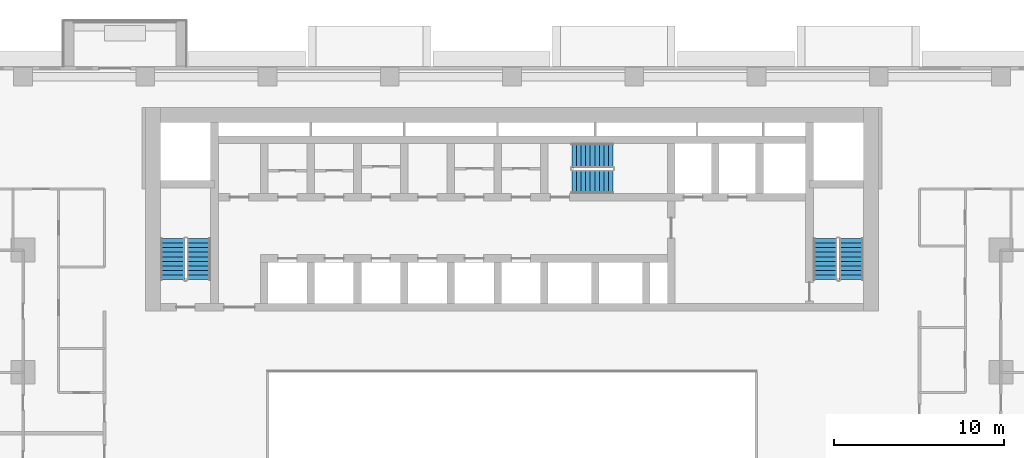
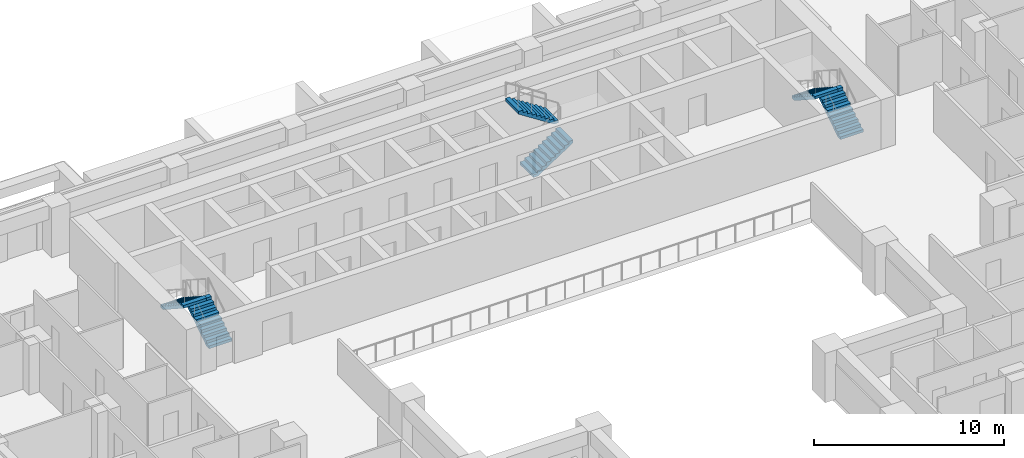
# One storey, part 13 of 17: 6 stair flights, 3 elements without a shape of their own.
"""IFC4 building model written with IfcOpenShell, lengths in metres."""

from ifc_helpers import new_model, si_unit, direction, frame, origin, place, context, subcontext, project, spatial, polyline, outline, extrude, material, layer, layer_set, type_object, element, aggregate, save


model = new_model("IFC4")

# Units and contexts
model_context = context("Model", 3, precision=1e-05, world=origin(), true_north=direction((0.0, 1.0)))
body_context = subcontext(model_context, "Body", "Model", "MODEL_VIEW")
ifc_project = project(units=[si_unit("LENGTHUNIT", "METRE"), si_unit("AREAUNIT", "SQUARE_METRE"), si_unit("VOLUMEUNIT", "CUBIC_METRE"), si_unit("PLANEANGLEUNIT", "RADIAN"), si_unit("MASSUNIT", "GRAM", prefix="KILO")], contexts=[model_context])

# Site, building, storey
site_placement = place(None, origin())
site = spatial("IfcSite", under=ifc_project, at=site_placement, CompositionType="ELEMENT")
building_placement = place(site_placement, origin())
building = spatial("IfcBuilding", under=site, at=building_placement, Name="Saffron Iwan Residences", CompositionType="ELEMENT")
storey_placement = place(building_placement, frame((0.0, 0.0, 51.5)))
storey = spatial("IfcBuildingStorey", under=building, at=storey_placement, Name="L12", CompositionType="ELEMENT", Elevation=51.5)

# Stair, stair flights
ifc_material = material(Name="Concrete C50/60", Category="concrete")
stair_type = type_object("IfcStairType", Name="Stair ST-CORE", PredefinedType="HALF_TURN_STAIR", material=ifc_material)
stair_1_placement = place(storey_placement, origin())
stair_1 = element("IfcStair", 1, at=stair_1_placement, inside=storey, type_object=stair_type, Name="L12 Exit Stair ST-W", PredefinedType="HALF_TURN_STAIR")
ifc_layer = layer(ifc_material, 0.14990234375)
ifc_layer_set = layer_set([ifc_layer], Name="Concrete C50/60")
stair_flight_type = type_object("IfcStairFlightType", Name="Stair flight SFL-RC", PredefinedType="STRAIGHT", material=ifc_layer_set)
stair_flight_1_placement = place(storey_placement, frame((31.949951171875, 67.85009765625, 0.0), z_axis=(0.0, 0.0, 1.0), x_axis=(0.0, 1.0, 0.0)))
stair_flight_1 = element("IfcStairFlight", 2, at=stair_flight_1_placement, type_object=stair_flight_type, Name="ST-W flight 1", NumberOfRisers=10, NumberOfTreads=9, PredefinedType="STRAIGHT", RiserHeight=0.175, TreadLength=0.27, context=body_context, shape_type="SweptSolid", body=[
    extrude(outline(polyline([(0.0, 0.0), (0.0, 0.175048828125), (0.27001953125, 0.175048828125), (0.27001953125, 0.35009765625), (0.5400390625, 0.35009765625), (0.5400390625, 0.52490234375), (0.81005859375, 0.52490234375), (0.81005859375, 0.699951171875), (1.080078125, 0.699951171875), (1.080078125, 0.875), (1.35009765625, 0.875), (1.35009765625, 1.050048828125), (1.6201171875, 1.050048828125), (1.6201171875, 1.22509765625), (1.889892578125, 1.22509765625), (1.889892578125, 1.39990234375), (2.159912109375, 1.39990234375), (2.159912109375, 1.574951171875), (2.429931640625, 1.574951171875), (2.429931640625, 1.75), (2.429931640625, 1.396484375), (0.275634765625, 0.0), (0.0, 0.0)])), frame((0.0, 0.699951171875, 0.0), z_axis=(0.0, -1.0, 0.0), x_axis=(1.0, 0.0, 0.0)), (0.0, 0.0, 1.0), 1.39990234375),
])
stair_flight_2_placement = place(storey_placement, frame((30.39990234375, 70.280029296875, 1.75), z_axis=(0.0, 0.0, 1.0), x_axis=(0.0, -1.0, 0.0)))
stair_flight_2 = element("IfcStairFlight", 3, at=stair_flight_2_placement, type_object=stair_flight_type, Name="ST-W flight 2", NumberOfRisers=10, NumberOfTreads=9, PredefinedType="STRAIGHT", RiserHeight=0.175, TreadLength=0.27, context=body_context, shape_type="SweptSolid", body=[
    extrude(outline(polyline([(0.0, 0.0), (0.0, 0.175048828125), (0.27001953125, 0.175048828125), (0.27001953125, 0.35009765625), (0.5400390625, 0.35009765625), (0.5400390625, 0.52490234375), (0.81005859375, 0.52490234375), (0.81005859375, 0.699951171875), (1.080078125, 0.699951171875), (1.080078125, 0.875), (1.35009765625, 0.875), (1.35009765625, 1.050048828125), (1.6201171875, 1.050048828125), (1.6201171875, 1.22509765625), (1.889892578125, 1.22509765625), (1.889892578125, 1.39990234375), (2.159912109375, 1.39990234375), (2.159912109375, 1.574951171875), (2.429931640625, 1.574951171875), (2.429931640625, 1.75), (2.429931640625, 1.396484375), (0.275634765625, 0.0), (0.0, 0.0)])), frame((0.0, 0.699951171875, 0.0), z_axis=(0.0, -1.0, 0.0), x_axis=(1.0, 0.0, 0.0)), (0.0, 0.0, 1.0), 1.39990234375),
])
aggregate(stair_1, [stair_flight_1, stair_flight_2])

stair_2_placement = place(storey_placement, origin())
stair_2 = element("IfcStair", 4, at=stair_2_placement, inside=storey, type_object=stair_type, Name="L12 Exit Stair ST-C", PredefinedType="HALF_TURN_STAIR")
stair_flight_3_placement = place(storey_placement, frame((53.925048828125, 73.625, 0.0), z_axis=(0.0, 0.0, 1.0), x_axis=(1.0, 0.0, 0.0)))
stair_flight_3 = element("IfcStairFlight", 5, at=stair_flight_3_placement, type_object=stair_flight_type, Name="ST-C flight 1", NumberOfRisers=10, NumberOfTreads=9, PredefinedType="STRAIGHT", RiserHeight=0.175, TreadLength=0.27, context=body_context, shape_type="SweptSolid", body=[
    extrude(outline(polyline([(0.0, 0.0), (0.0, 0.175048828125), (0.27001953125, 0.175048828125), (0.27001953125, 0.35009765625), (0.5400390625, 0.35009765625), (0.5400390625, 0.52490234375), (0.81005859375, 0.52490234375), (0.81005859375, 0.699951171875), (1.080078125, 0.699951171875), (1.080078125, 0.875), (1.35009765625, 0.875), (1.35009765625, 1.050048828125), (1.6201171875, 1.050048828125), (1.6201171875, 1.22509765625), (1.889892578125, 1.22509765625), (1.889892578125, 1.39990234375), (2.159912109375, 1.39990234375), (2.159912109375, 1.574951171875), (2.429931640625, 1.574951171875), (2.429931640625, 1.75), (2.429931640625, 1.396484375), (0.275634765625, 0.0), (0.0, 0.0)])), frame((0.0, 0.699951171875, 0.0), z_axis=(0.0, -1.0, 0.0), x_axis=(1.0, 0.0, 0.0)), (0.0, 0.0, 1.0), 1.39990234375),
])
stair_flight_4_placement = place(storey_placement, frame((56.35498046875, 75.175048828125, 1.75), z_axis=(0.0, 0.0, 1.0), x_axis=(-1.0, 0.0, 0.0)))
stair_flight_4 = element("IfcStairFlight", 6, at=stair_flight_4_placement, type_object=stair_flight_type, Name="ST-C flight 2", NumberOfRisers=10, NumberOfTreads=9, PredefinedType="STRAIGHT", RiserHeight=0.175, TreadLength=0.27, context=body_context, shape_type="SweptSolid", body=[
    extrude(outline(polyline([(0.0, 0.0), (0.0, 0.175048828125), (0.27001953125, 0.175048828125), (0.27001953125, 0.35009765625), (0.5400390625, 0.35009765625), (0.5400390625, 0.52490234375), (0.81005859375, 0.52490234375), (0.81005859375, 0.699951171875), (1.080078125, 0.699951171875), (1.080078125, 0.875), (1.35009765625, 0.875), (1.35009765625, 1.050048828125), (1.6201171875, 1.050048828125), (1.6201171875, 1.22509765625), (1.889892578125, 1.22509765625), (1.889892578125, 1.39990234375), (2.159912109375, 1.39990234375), (2.159912109375, 1.574951171875), (2.429931640625, 1.574951171875), (2.429931640625, 1.75), (2.429931640625, 1.396484375), (0.275634765625, 0.0), (0.0, 0.0)])), frame((0.0, 0.699951171875, 0.0), z_axis=(0.0, -1.0, 0.0), x_axis=(1.0, 0.0, 0.0)), (0.0, 0.0, 1.0), 1.39990234375),
])
aggregate(stair_2, [stair_flight_3, stair_flight_4])

stair_3_placement = place(storey_placement, origin())
stair_3 = element("IfcStair", 7, at=stair_3_placement, inside=storey, type_object=stair_type, Name="L12 Exit Stair ST-E", PredefinedType="HALF_TURN_STAIR")
stair_flight_5_placement = place(storey_placement, frame((70.39990234375, 67.85009765625, 0.0), z_axis=(0.0, 0.0, 1.0), x_axis=(0.0, 1.0, 0.0)))
stair_flight_5 = element("IfcStairFlight", 8, at=stair_flight_5_placement, type_object=stair_flight_type, Name="ST-E flight 1", NumberOfRisers=10, NumberOfTreads=9, PredefinedType="STRAIGHT", RiserHeight=0.175, TreadLength=0.27, context=body_context, shape_type="SweptSolid", body=[
    extrude(outline(polyline([(0.0, 0.0), (0.0, 0.175048828125), (0.27001953125, 0.175048828125), (0.27001953125, 0.35009765625), (0.5400390625, 0.35009765625), (0.5400390625, 0.52490234375), (0.81005859375, 0.52490234375), (0.81005859375, 0.699951171875), (1.080078125, 0.699951171875), (1.080078125, 0.875), (1.35009765625, 0.875), (1.35009765625, 1.050048828125), (1.6201171875, 1.050048828125), (1.6201171875, 1.22509765625), (1.889892578125, 1.22509765625), (1.889892578125, 1.39990234375), (2.159912109375, 1.39990234375), (2.159912109375, 1.574951171875), (2.429931640625, 1.574951171875), (2.429931640625, 1.75), (2.429931640625, 1.396484375), (0.275634765625, 0.0), (0.0, 0.0)])), frame((0.0, 0.699951171875, 0.0), z_axis=(0.0, -1.0, 0.0), x_axis=(1.0, 0.0, 0.0)), (0.0, 0.0, 1.0), 1.39990234375),
])
stair_flight_6_placement = place(storey_placement, frame((68.85009765625, 70.280029296875, 1.75), z_axis=(0.0, 0.0, 1.0), x_axis=(0.0, -1.0, 0.0)))
stair_flight_6 = element("IfcStairFlight", 9, at=stair_flight_6_placement, type_object=stair_flight_type, Name="ST-E flight 2", NumberOfRisers=10, NumberOfTreads=9, PredefinedType="STRAIGHT", RiserHeight=0.175, TreadLength=0.27, context=body_context, shape_type="SweptSolid", body=[
    extrude(outline(polyline([(0.0, 0.0), (0.0, 0.175048828125), (0.27001953125, 0.175048828125), (0.27001953125, 0.35009765625), (0.5400390625, 0.35009765625), (0.5400390625, 0.52490234375), (0.81005859375, 0.52490234375), (0.81005859375, 0.699951171875), (1.080078125, 0.699951171875), (1.080078125, 0.875), (1.35009765625, 0.875), (1.35009765625, 1.050048828125), (1.6201171875, 1.050048828125), (1.6201171875, 1.22509765625), (1.889892578125, 1.22509765625), (1.889892578125, 1.39990234375), (2.159912109375, 1.39990234375), (2.159912109375, 1.574951171875), (2.429931640625, 1.574951171875), (2.429931640625, 1.75), (2.429931640625, 1.396484375), (0.275634765625, 0.0), (0.0, 0.0)])), frame((0.0, 0.699951171875, 0.0), z_axis=(0.0, -1.0, 0.0), x_axis=(1.0, 0.0, 0.0)), (0.0, 0.0, 1.0), 1.39990234375),
])
aggregate(stair_3, [stair_flight_5, stair_flight_6])

save(model, "model.ifc")
